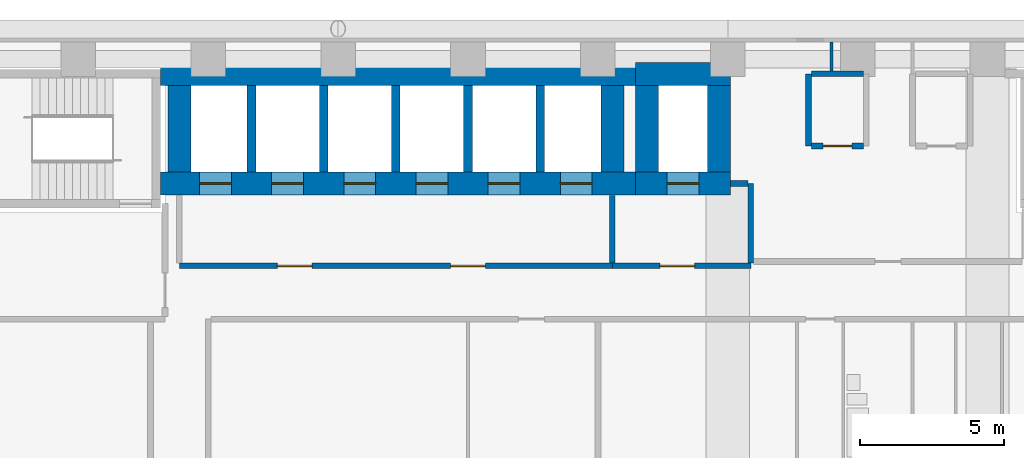
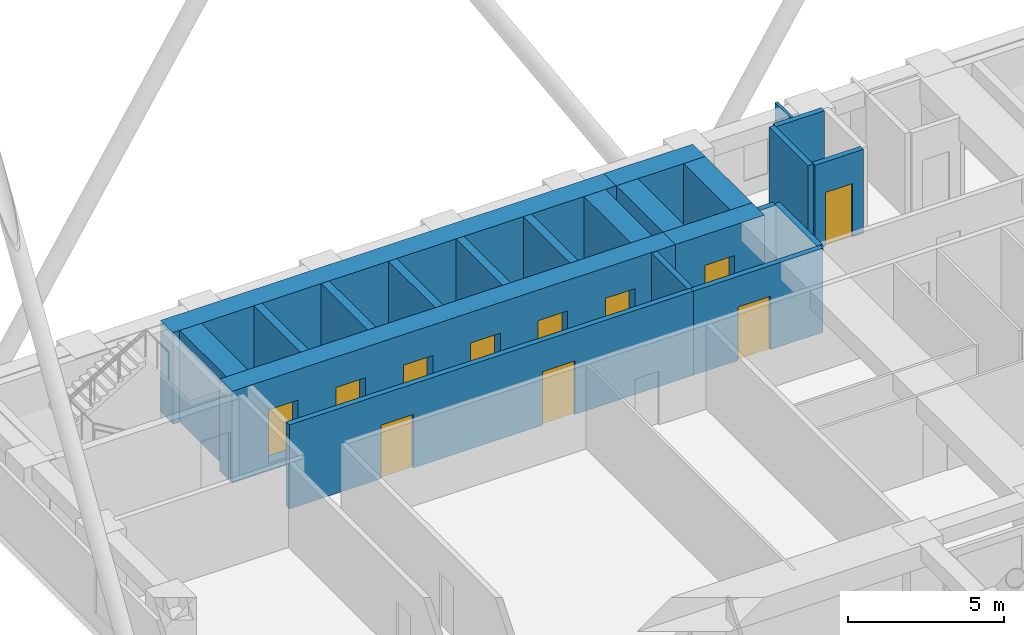
# One storey, part 11 of 20: 22 walls, 11 doors, 11 openings.
"""IFC4 building model written with IfcOpenShell, lengths in metres."""

from ifc_helpers import new_model, si_unit, direction, frame, frame_2d, origin, place, context, subcontext, project, spatial, rectangle, extrude, material, layer, layer_set, type_object, element, fill, save


model = new_model("IFC4")

# Units and contexts
model_context = context("Model", 3, precision=1e-05, world=origin(), true_north=direction((0.0, 1.0)))
body_context = subcontext(model_context, "Body", "Model", "MODEL_VIEW")
ifc_project = project(units=[si_unit("LENGTHUNIT", "METRE"), si_unit("AREAUNIT", "SQUARE_METRE"), si_unit("VOLUMEUNIT", "CUBIC_METRE"), si_unit("PLANEANGLEUNIT", "RADIAN"), si_unit("MASSUNIT", "GRAM", prefix="KILO")], contexts=[model_context])

# Site, building, storey
site_placement = place(None, origin())
site = spatial("IfcSite", under=ifc_project, at=site_placement, CompositionType="ELEMENT")
building_placement = place(site_placement, origin())
building = spatial("IfcBuilding", under=site, at=building_placement, Name="Firuza Court", CompositionType="ELEMENT")
storey_placement = place(building_placement, frame((0.0, 0.0, 29.0)))
storey = spatial("IfcBuildingStorey", under=building, at=storey_placement, Name="L05", CompositionType="ELEMENT", Elevation=29.0)

# Walls
ifc_material_1 = material(Name="Concrete C60/75", Category="concrete")
ifc_layer_1 = layer(ifc_material_1, 0.300048828125)
ifc_layer_set_1 = layer_set([ifc_layer_1], Name="Concrete C60/75")
wall_type_1 = type_object("IfcWallType", Name="Core wall 300 C60/75", PredefinedType="SHEAR", material=ifc_layer_set_1)
for number, where, z_axis, x_axis, name in (
    (1, (10.5, 54.60009765625, -0.300048828125), (0.0, 0.0, 1.0), (0.0, 1.0, 0.0), "Core wall lift shaft L05"),
    (2, (13.0, 54.60009765625, -0.300048828125), (0.0, 0.0, 1.0), (0.0, 1.0, 0.0), "Core wall lift shaft L05"),
    (3, (15.5, 54.60009765625, -0.300048828125), (0.0, 0.0, 1.0), (0.0, 1.0, 0.0), "Core wall lift shaft L05"),
    (4, (18.0, 54.60009765625, -0.300048828125), (0.0, 0.0, 1.0), (0.0, 1.0, 0.0), "Core wall lift shaft L05"),
    (5, (20.5, 54.60009765625, -0.300048828125), (0.0, 0.0, 1.0), (0.0, 1.0, 0.0), "Core wall lift shaft L05"),
):
    element("IfcWall", number, at=place(storey_placement, frame(where, z_axis=z_axis, x_axis=x_axis)), inside=storey, type_object=wall_type_1, Name=name, PredefinedType="SHEAR", context=body_context, shape_type="SweptSolid", body=[
        extrude(rectangle(XDim=3.0, YDim=0.300048828125, at=frame_2d((1.5, 0.0))), origin(), (0.0, 0.0, 1.0), 3.60009765625),
    ])

# Wall, openings, doors
ifc_layer_2 = layer(ifc_material_1, 0.800048828125)
ifc_layer_set_2 = layer_set([ifc_layer_2], Name="Concrete C60/75")
wall_type_2 = type_object("IfcWallType", Name="Core wall 800 C60/75", PredefinedType="SHEAR", material=ifc_layer_set_2)
wall_1_placement = place(storey_placement, frame((7.35009765625, 54.199951171875, -0.300048828125), z_axis=(0.0, 0.0, 1.0), x_axis=(1.0, 0.0, 0.0)))
wall_1 = element("IfcWall", 6, at=wall_1_placement, inside=storey, type_object=wall_type_2, Name="Core wall lift shaft L05", PredefinedType="SHEAR", context=body_context, shape_type="SweptSolid", body=[
    extrude(rectangle(XDim=16.449951171875, YDim=0.800048828125, at=frame_2d((8.22509765625, 0.0))), origin(), (0.0, 0.0, 1.0), 3.60009765625),
])
opening_1_placement = place(wall_1_placement, frame((1.35009765625, 0.0, 0.300048828125)))
opening_1 = element("IfcOpeningElement", 7, at=opening_1_placement, cuts=wall_1, Name="Opening LD-LB1-05", PredefinedType="OPENING", context=body_context, shape_type="SweptSolid", body=[
    extrude(rectangle(XDim=1.10009765625, YDim=2.10009765625, at=frame_2d((0.550048828125, 1.050048828125))), frame((0.0, 0.412109375, 0.0), z_axis=(0.0, -1.0, 0.0), x_axis=(1.0, 0.0, 0.0)), (0.0, 0.0, 1.0), 0.823974609375),
])
opening_2_placement = place(wall_1_placement, frame((3.85009765625, 0.0, 0.300048828125)))
opening_2 = element("IfcOpeningElement", 8, at=opening_2_placement, cuts=wall_1, Name="Opening LD-LB2-05", PredefinedType="OPENING", context=body_context, shape_type="SweptSolid", body=[
    extrude(rectangle(XDim=1.10009765625, YDim=2.10009765625, at=frame_2d((0.550048828125, 1.050048828125))), frame((0.0, 0.412109375, 0.0), z_axis=(0.0, -1.0, 0.0), x_axis=(1.0, 0.0, 0.0)), (0.0, 0.0, 1.0), 0.823974609375),
])
opening_3_placement = place(wall_1_placement, frame((6.35009765625, 0.0, 0.300048828125)))
opening_3 = element("IfcOpeningElement", 9, at=opening_3_placement, cuts=wall_1, Name="Opening LD-LB3-05", PredefinedType="OPENING", context=body_context, shape_type="SweptSolid", body=[
    extrude(rectangle(XDim=1.10009765625, YDim=2.10009765625, at=frame_2d((0.550048828125, 1.050048828125))), frame((0.0, 0.412109375, 0.0), z_axis=(0.0, -1.0, 0.0), x_axis=(1.0, 0.0, 0.0)), (0.0, 0.0, 1.0), 0.823974609375),
])
opening_4_placement = place(wall_1_placement, frame((8.85009765625, 0.0, 0.300048828125)))
opening_4 = element("IfcOpeningElement", 10, at=opening_4_placement, cuts=wall_1, Name="Opening LD-LB4-05", PredefinedType="OPENING", context=body_context, shape_type="SweptSolid", body=[
    extrude(rectangle(XDim=1.10009765625, YDim=2.10009765625, at=frame_2d((0.550048828125, 1.050048828125))), frame((0.0, 0.412109375, 0.0), z_axis=(0.0, -1.0, 0.0), x_axis=(1.0, 0.0, 0.0)), (0.0, 0.0, 1.0), 0.823974609375),
])
opening_5_placement = place(wall_1_placement, frame((11.35009765625, 0.0, 0.300048828125)))
opening_5 = element("IfcOpeningElement", 11, at=opening_5_placement, cuts=wall_1, Name="Opening LD-LB5-05", PredefinedType="OPENING", context=body_context, shape_type="SweptSolid", body=[
    extrude(rectangle(XDim=1.10009765625, YDim=2.10009765625, at=frame_2d((0.550048828125, 1.050048828125))), frame((0.0, 0.412109375, 0.0), z_axis=(0.0, -1.0, 0.0), x_axis=(1.0, 0.0, 0.0)), (0.0, 0.0, 1.0), 0.823974609375),
])
opening_6_placement = place(wall_1_placement, frame((13.85009765625, 0.0, 0.300048828125)))
opening_6 = element("IfcOpeningElement", 12, at=opening_6_placement, cuts=wall_1, Name="Opening LD-LB6-05", PredefinedType="OPENING", context=body_context, shape_type="SweptSolid", body=[
    extrude(rectangle(XDim=1.10009765625, YDim=2.10009765625, at=frame_2d((0.550048828125, 1.050048828125))), frame((0.0, 0.412109375, 0.0), z_axis=(0.0, -1.0, 0.0), x_axis=(1.0, 0.0, 0.0)), (0.0, 0.0, 1.0), 0.823974609375),
])
ifc_material_2 = material(Name="Stainless steel 1.4301 door leaf", Category="steel")
door_type_1 = type_object("IfcDoorType", Name="Lift landing door 1100", OperationType="SLIDING_TO_LEFT", PredefinedType="DOOR", material=ifc_material_2)
door_1_placement = place(opening_1_placement, origin())
door_1 = element("IfcDoor", 13, at=door_1_placement, inside=storey, type_object=door_type_1, Name="Landing door LB1", OperationType="SLIDING_TO_LEFT", OverallHeight=2.10009765625, OverallWidth=1.10009765625, PredefinedType="DOOR", context=body_context, shape_type="SweptSolid", body=[
    extrude(rectangle(XDim=1.10009765625, YDim=2.10009765625, at=frame_2d((0.550048828125, 1.050048828125))), frame((0.0, 0.02490234375, 0.0), z_axis=(0.0, -1.0, 0.0), x_axis=(1.0, 0.0, 0.0)), (0.0, 0.0, 1.0), 0.050048828125),
])
fill(opening_1, door_1)
door_2_placement = place(opening_2_placement, origin())
door_2 = element("IfcDoor", 14, at=door_2_placement, inside=storey, type_object=door_type_1, Name="Landing door LB2", OperationType="SLIDING_TO_LEFT", OverallHeight=2.10009765625, OverallWidth=1.10009765625, PredefinedType="DOOR", context=body_context, shape_type="SweptSolid", body=[
    extrude(rectangle(XDim=1.10009765625, YDim=2.10009765625, at=frame_2d((0.550048828125, 1.050048828125))), frame((0.0, 0.02490234375, 0.0), z_axis=(0.0, -1.0, 0.0), x_axis=(1.0, 0.0, 0.0)), (0.0, 0.0, 1.0), 0.050048828125),
])
fill(opening_2, door_2)
door_3_placement = place(opening_3_placement, origin())
door_3 = element("IfcDoor", 15, at=door_3_placement, inside=storey, type_object=door_type_1, Name="Landing door LB3", OperationType="SLIDING_TO_LEFT", OverallHeight=2.10009765625, OverallWidth=1.10009765625, PredefinedType="DOOR", context=body_context, shape_type="SweptSolid", body=[
    extrude(rectangle(XDim=1.10009765625, YDim=2.10009765625, at=frame_2d((0.550048828125, 1.050048828125))), frame((0.0, 0.02490234375, 0.0), z_axis=(0.0, -1.0, 0.0), x_axis=(1.0, 0.0, 0.0)), (0.0, 0.0, 1.0), 0.050048828125),
])
fill(opening_3, door_3)
door_4_placement = place(opening_4_placement, origin())
door_4 = element("IfcDoor", 16, at=door_4_placement, inside=storey, type_object=door_type_1, Name="Landing door LB4", OperationType="SLIDING_TO_LEFT", OverallHeight=2.10009765625, OverallWidth=1.10009765625, PredefinedType="DOOR", context=body_context, shape_type="SweptSolid", body=[
    extrude(rectangle(XDim=1.10009765625, YDim=2.10009765625, at=frame_2d((0.550048828125, 1.050048828125))), frame((0.0, 0.02490234375, 0.0), z_axis=(0.0, -1.0, 0.0), x_axis=(1.0, 0.0, 0.0)), (0.0, 0.0, 1.0), 0.050048828125),
])
fill(opening_4, door_4)
door_5_placement = place(opening_5_placement, origin())
door_5 = element("IfcDoor", 17, at=door_5_placement, inside=storey, type_object=door_type_1, Name="Landing door LB5", OperationType="SLIDING_TO_LEFT", OverallHeight=2.10009765625, OverallWidth=1.10009765625, PredefinedType="DOOR", context=body_context, shape_type="SweptSolid", body=[
    extrude(rectangle(XDim=1.10009765625, YDim=2.10009765625, at=frame_2d((0.550048828125, 1.050048828125))), frame((0.0, 0.02490234375, 0.0), z_axis=(0.0, -1.0, 0.0), x_axis=(1.0, 0.0, 0.0)), (0.0, 0.0, 1.0), 0.050048828125),
])
fill(opening_5, door_5)
door_6_placement = place(opening_6_placement, origin())
door_6 = element("IfcDoor", 18, at=door_6_placement, inside=storey, type_object=door_type_1, Name="Landing door LB6", OperationType="SLIDING_TO_LEFT", OverallHeight=2.10009765625, OverallWidth=1.10009765625, PredefinedType="DOOR", context=body_context, shape_type="SweptSolid", body=[
    extrude(rectangle(XDim=1.10009765625, YDim=2.10009765625, at=frame_2d((0.550048828125, 1.050048828125))), frame((0.0, 0.02490234375, 0.0), z_axis=(0.0, -1.0, 0.0), x_axis=(1.0, 0.0, 0.0)), (0.0, 0.0, 1.0), 0.050048828125),
])
fill(opening_6, door_6)

# Walls
wall_2_placement = place(storey_placement, frame((7.35009765625, 58.0, -0.300048828125), z_axis=(0.0, 0.0, 1.0), x_axis=(1.0, 0.0, 0.0)))
element("IfcWall", 19, at=wall_2_placement, inside=storey, type_object=wall_type_2, Name="Core wall lift shaft L05", PredefinedType="SHEAR", context=body_context, shape_type="SweptSolid", body=[
    extrude(rectangle(XDim=16.449951171875, YDim=0.800048828125, at=frame_2d((8.22509765625, 0.0))), origin(), (0.0, 0.0, 1.0), 3.60009765625),
])
for number, where, z_axis, x_axis, name in (
    (20, (8.0, 54.60009765625, -0.300048828125), (0.0, 0.0, 1.0), (0.0, 1.0, 0.0), "Core wall lift shaft L05"),
    (21, (23.0, 54.60009765625, -0.300048828125), (0.0, 0.0, 1.0), (0.0, 1.0, 0.0), "Core wall lift shaft L05"),
):
    element("IfcWall", number, at=place(storey_placement, frame(where, z_axis=z_axis, x_axis=x_axis)), inside=storey, type_object=wall_type_2, Name=name, PredefinedType="SHEAR", context=body_context, shape_type="SweptSolid", body=[
        extrude(rectangle(XDim=3.0, YDim=0.800048828125, at=frame_2d((1.5, 0.0))), origin(), (0.0, 0.0, 1.0), 3.60009765625),
    ])

# Wall, opening, door
wall_3_placement = place(storey_placement, frame((23.800048828125, 54.199951171875, -0.300048828125), z_axis=(0.0, 0.0, 1.0), x_axis=(1.0, 0.0, 0.0)))
wall_3 = element("IfcWall", 22, at=wall_3_placement, inside=storey, type_object=wall_type_2, Name="Core wall lift shaft L05", PredefinedType="SHEAR", context=body_context, shape_type="SweptSolid", body=[
    extrude(rectangle(XDim=3.300048828125, YDim=0.800048828125, at=frame_2d((1.64990234375, 0.0))), origin(), (0.0, 0.0, 1.0), 3.60009765625),
])
opening_7_placement = place(wall_3_placement, frame((1.10009765625, 0.0, 0.300048828125)))
opening_7 = element("IfcOpeningElement", 23, at=opening_7_placement, cuts=wall_3, Name="Opening LD-FL3-05", PredefinedType="OPENING", context=body_context, shape_type="SweptSolid", body=[
    extrude(rectangle(XDim=1.10009765625, YDim=2.10009765625, at=frame_2d((0.550048828125, 1.050048828125))), frame((0.0, 0.412109375, 0.0), z_axis=(0.0, -1.0, 0.0), x_axis=(1.0, 0.0, 0.0)), (0.0, 0.0, 1.0), 0.823974609375),
])
door_7_placement = place(opening_7_placement, origin())
door_7 = element("IfcDoor", 24, at=door_7_placement, inside=storey, type_object=door_type_1, Name="Landing door FL3", OperationType="SLIDING_TO_LEFT", OverallHeight=2.10009765625, OverallWidth=1.10009765625, PredefinedType="DOOR", context=body_context, shape_type="SweptSolid", body=[
    extrude(rectangle(XDim=1.10009765625, YDim=2.10009765625, at=frame_2d((0.550048828125, 1.050048828125))), frame((0.0, 0.02490234375, 0.0), z_axis=(0.0, -1.0, 0.0), x_axis=(1.0, 0.0, 0.0)), (0.0, 0.0, 1.0), 0.050048828125),
])
fill(opening_7, door_7)

# Walls
wall_4_placement = place(storey_placement, frame((23.800048828125, 58.0, -0.300048828125), z_axis=(0.0, 0.0, 1.0), x_axis=(1.0, 0.0, 0.0)))
element("IfcWall", 25, at=wall_4_placement, inside=storey, type_object=wall_type_2, Name="Core wall lift shaft L05", PredefinedType="SHEAR", context=body_context, shape_type="SweptSolid", body=[
    extrude(rectangle(XDim=3.300048828125, YDim=0.800048828125, at=frame_2d((1.64990234375, 0.0))), origin(), (0.0, 0.0, 1.0), 3.60009765625),
])
for number, where, z_axis, x_axis, name in (
    (26, (24.199951171875, 54.60009765625, -0.300048828125), (0.0, 0.0, 1.0), (0.0, 1.0, 0.0), "Core wall lift shaft L05"),
    (27, (26.699951171875, 54.60009765625, -0.300048828125), (0.0, 0.0, 1.0), (0.0, 1.0, 0.0), "Core wall lift shaft L05"),
):
    element("IfcWall", number, at=place(storey_placement, frame(where, z_axis=z_axis, x_axis=x_axis)), inside=storey, type_object=wall_type_2, Name=name, PredefinedType="SHEAR", context=body_context, shape_type="SweptSolid", body=[
        extrude(rectangle(XDim=3.0, YDim=0.800048828125, at=frame_2d((1.5, 0.0))), origin(), (0.0, 0.0, 1.0), 3.60009765625),
    ])
ifc_material_3 = material(Name="Timber stud partition, plasterboard both sides", Category="wood")
ifc_layer_3 = layer(ifc_material_3, 0.10009765625)
ifc_layer_set_3 = layer_set([ifc_layer_3], Name="Timber stud partition, plasterboard both sides")
wall_type_3 = type_object("IfcWallType", Name="Partition wall 100", PredefinedType="PARTITIONING", material=ifc_layer_set_3)
wall_5_placement = place(storey_placement, frame((30.60009765625, 58.10009765625, 0.0), z_axis=(0.0, 0.0, 1.0), x_axis=(0.0, 1.0, 0.0)))
element("IfcWall", 28, at=wall_5_placement, inside=storey, type_object=wall_type_3, Name="Partition wall 100 L05", PredefinedType="PARTITIONING", context=body_context, shape_type="SweptSolid", body=[
    extrude(rectangle(XDim=1.0, YDim=0.10009765625, at=frame_2d((0.5, 0.0))), origin(), (0.0, 0.0, 1.0), 3.300048828125),
])
ifc_material_4 = material(Name="Blockwork, fire-rated", Category="masonry")
ifc_layer_4 = layer(ifc_material_4, 0.199951171875)
ifc_layer_set_4 = layer_set([ifc_layer_4], Name="Blockwork, fire-rated")
wall_type_4 = type_object("IfcWallType", Name="Plant room wall 200", PredefinedType="PARTITIONING", material=ifc_layer_set_4)
wall_6_placement = place(storey_placement, frame((29.800048828125, 55.5, 0.0), z_axis=(0.0, 0.0, 1.0), x_axis=(0.0, 1.0, 0.0)))
element("IfcWall", 29, at=wall_6_placement, inside=storey, type_object=wall_type_4, Name="Plant room wall 200 L05", PredefinedType="PARTITIONING", context=body_context, shape_type="SweptSolid", body=[
    extrude(rectangle(XDim=2.5, YDim=0.199951171875, at=frame_2d((1.25, 0.0))), origin(), (0.0, 0.0, 1.0), 3.300048828125),
])

# Wall, opening, door
wall_7_placement = place(storey_placement, frame((29.89990234375, 55.5, 0.0), z_axis=(0.0, 0.0, 1.0), x_axis=(1.0, 0.0, 0.0)))
wall_7 = element("IfcWall", 30, at=wall_7_placement, inside=storey, type_object=wall_type_4, Name="Plant room wall 200 L05", PredefinedType="PARTITIONING", context=body_context, shape_type="SweptSolid", body=[
    extrude(rectangle(XDim=1.800048828125, YDim=0.199951171875, at=frame_2d((0.89990234375, 0.0))), origin(), (0.0, 0.0, 1.0), 3.300048828125),
])
opening_8_placement = place(wall_7_placement, frame((0.39990234375, 0.0, 0.0)))
opening_8 = element("IfcOpeningElement", 31, at=opening_8_placement, cuts=wall_7, Name="Opening D05075", PredefinedType="OPENING", context=body_context, shape_type="SweptSolid", body=[
    extrude(rectangle(XDim=1.0, YDim=2.10009765625, at=frame_2d((0.5, 1.050048828125))), frame((0.0, 0.11181640625, 0.0), z_axis=(0.0, -1.0, 0.0), x_axis=(1.0, 0.0, 0.0)), (0.0, 0.0, 1.0), 0.223876953125),
])
ifc_material_5 = material(Name="Timber door leaf in hardwood frame", Category="wood")
door_type_2 = type_object("IfcDoorType", Name="Riser door 1000", OperationType="SINGLE_SWING_LEFT", PredefinedType="DOOR", material=ifc_material_5)
door_8_placement = place(opening_8_placement, origin())
door_8 = element("IfcDoor", 32, at=door_8_placement, inside=storey, type_object=door_type_2, Name="Electrical riser door", OperationType="SINGLE_SWING_LEFT", OverallHeight=2.10009765625, OverallWidth=1.0, PredefinedType="DOOR", context=body_context, shape_type="SweptSolid", body=[
    extrude(rectangle(XDim=1.0, YDim=2.10009765625, at=frame_2d((0.5, 1.050048828125))), frame((0.0, 0.02490234375, 0.0), z_axis=(0.0, -1.0, 0.0), x_axis=(1.0, 0.0, 0.0)), (0.0, 0.0, 1.0), 0.050048828125),
])
fill(opening_8, door_8)

# Wall
wall_8_placement = place(storey_placement, frame((29.89990234375, 58.0, 0.0), z_axis=(0.0, 0.0, 1.0), x_axis=(1.0, 0.0, 0.0)))
element("IfcWall", 33, at=wall_8_placement, inside=storey, type_object=wall_type_4, Name="Plant room wall 200 L05", PredefinedType="PARTITIONING", context=body_context, shape_type="SweptSolid", body=[
    extrude(rectangle(XDim=1.800048828125, YDim=0.199951171875, at=frame_2d((0.89990234375, 0.0))), origin(), (0.0, 0.0, 1.0), 3.300048828125),
])

# Wall, openings, doors
ifc_layer_5 = layer(ifc_material_4, 0.199951171875)
ifc_layer_set_5 = layer_set([ifc_layer_5], Name="Blockwork, fire-rated")
wall_type_5 = type_object("IfcWallType", Name="Shaft wall 200", PredefinedType="PARTITIONING", material=ifc_layer_set_5)
wall_9_placement = place(storey_placement, frame((8.0, 51.35009765625, 0.0), z_axis=(0.0, 0.0, 1.0), x_axis=(1.0, 0.0, 0.0)))
wall_9 = element("IfcWall", 34, at=wall_9_placement, inside=storey, type_object=wall_type_5, Name="Shaft wall 200 L05", PredefinedType="PARTITIONING", context=body_context, shape_type="SweptSolid", body=[
    extrude(rectangle(XDim=15.0, YDim=0.199951171875, at=frame_2d((7.5, 0.0))), origin(), (0.0, 0.0, 1.0), 3.300048828125),
])
opening_9_placement = place(wall_9_placement, frame((3.39990234375, 0.0, 0.0)))
opening_9 = element("IfcOpeningElement", 35, at=opening_9_placement, cuts=wall_9, Name="Opening D05004", PredefinedType="OPENING", context=body_context, shape_type="SweptSolid", body=[
    extrude(rectangle(XDim=1.199951171875, YDim=2.10009765625, at=frame_2d((0.60009765625, 1.050048828125))), frame((0.0, 0.11181640625, 0.0), z_axis=(0.0, -1.0, 0.0), x_axis=(1.0, 0.0, 0.0)), (0.0, 0.0, 1.0), 0.223876953125),
])
opening_10_placement = place(wall_9_placement, frame((9.39990234375, 0.0, 0.0)))
opening_10 = element("IfcOpeningElement", 36, at=opening_10_placement, cuts=wall_9, Name="Opening D05005", PredefinedType="OPENING", context=body_context, shape_type="SweptSolid", body=[
    extrude(rectangle(XDim=1.199951171875, YDim=2.10009765625, at=frame_2d((0.60009765625, 1.050048828125))), frame((0.0, 0.11181640625, 0.0), z_axis=(0.0, -1.0, 0.0), x_axis=(1.0, 0.0, 0.0)), (0.0, 0.0, 1.0), 0.223876953125),
])
ifc_material_6 = material(Name="Timber door leaf in hardwood frame", Category="wood")
door_type_3 = type_object("IfcDoorType", Name="Lobby door 1200", OperationType="SINGLE_SWING_LEFT", PredefinedType="DOOR", material=ifc_material_6)
door_9_placement = place(opening_9_placement, origin())
door_9 = element("IfcDoor", 37, at=door_9_placement, inside=storey, type_object=door_type_3, Name="Lobby door", OperationType="SINGLE_SWING_LEFT", OverallHeight=2.10009765625, OverallWidth=1.199951171875, PredefinedType="DOOR", context=body_context, shape_type="SweptSolid", body=[
    extrude(rectangle(XDim=1.199951171875, YDim=2.10009765625, at=frame_2d((0.60009765625, 1.050048828125))), frame((0.0, 0.02490234375, 0.0), z_axis=(0.0, -1.0, 0.0), x_axis=(1.0, 0.0, 0.0)), (0.0, 0.0, 1.0), 0.050048828125),
])
fill(opening_9, door_9)
door_10_placement = place(opening_10_placement, origin())
door_10 = element("IfcDoor", 38, at=door_10_placement, inside=storey, type_object=door_type_3, Name="Lobby door", OperationType="SINGLE_SWING_RIGHT", OverallHeight=2.10009765625, OverallWidth=1.199951171875, PredefinedType="DOOR", context=body_context, shape_type="SweptSolid", body=[
    extrude(rectangle(XDim=1.199951171875, YDim=2.10009765625, at=frame_2d((0.60009765625, 1.050048828125))), frame((0.0, 0.02490234375, 0.0), z_axis=(0.0, -1.0, 0.0), x_axis=(1.0, 0.0, 0.0)), (0.0, 0.0, 1.0), 0.050048828125),
])
fill(opening_10, door_10)

# Wall
wall_10_placement = place(storey_placement, frame((23.0, 51.449951171875, 0.0), z_axis=(0.0, 0.0, 1.0), x_axis=(0.0, 1.0, 0.0)))
element("IfcWall", 39, at=wall_10_placement, inside=storey, type_object=wall_type_5, Name="Shaft wall 200 L05", PredefinedType="PARTITIONING", context=body_context, shape_type="SweptSolid", body=[
    extrude(rectangle(XDim=2.330078125, YDim=0.199951171875, at=frame_2d((1.1650390625, 0.0))), origin(), (0.0, 0.0, 1.0), 3.300048828125),
])

# Wall, opening, door
wall_11_placement = place(storey_placement, frame((23.0, 51.35009765625, 0.0), z_axis=(0.0, 0.0, 1.0), x_axis=(1.0, 0.0, 0.0)))
wall_11 = element("IfcWall", 40, at=wall_11_placement, inside=storey, type_object=wall_type_5, Name="Shaft wall 200 L05", PredefinedType="PARTITIONING", context=body_context, shape_type="SweptSolid", body=[
    extrude(rectangle(XDim=4.800048828125, YDim=0.199951171875, at=frame_2d((2.39990234375, 0.0))), origin(), (0.0, 0.0, 1.0), 3.300048828125),
])
opening_11_placement = place(wall_11_placement, frame((1.64990234375, 0.0, 0.0)))
opening_11 = element("IfcOpeningElement", 41, at=opening_11_placement, cuts=wall_11, Name="Opening D05003", PredefinedType="OPENING", context=body_context, shape_type="SweptSolid", body=[
    extrude(rectangle(XDim=1.199951171875, YDim=2.10009765625, at=frame_2d((0.60009765625, 1.050048828125))), frame((0.0, 0.11181640625, 0.0), z_axis=(0.0, -1.0, 0.0), x_axis=(1.0, 0.0, 0.0)), (0.0, 0.0, 1.0), 0.223876953125),
])
door_11_placement = place(opening_11_placement, origin())
door_11 = element("IfcDoor", 42, at=door_11_placement, inside=storey, type_object=door_type_3, Name="Fire-fighting lobby door", OperationType="SINGLE_SWING_LEFT", OverallHeight=2.10009765625, OverallWidth=1.199951171875, PredefinedType="DOOR", context=body_context, shape_type="SweptSolid", body=[
    extrude(rectangle(XDim=1.199951171875, YDim=2.10009765625, at=frame_2d((0.60009765625, 1.050048828125))), frame((0.0, 0.02490234375, 0.0), z_axis=(0.0, -1.0, 0.0), x_axis=(1.0, 0.0, 0.0)), (0.0, 0.0, 1.0), 0.050048828125),
])
fill(opening_11, door_11)

# Walls
wall_12_placement = place(storey_placement, frame((27.800048828125, 51.449951171875, 0.0), z_axis=(0.0, 0.0, 1.0), x_axis=(0.0, 1.0, 0.0)))
element("IfcWall", 43, at=wall_12_placement, inside=storey, type_object=wall_type_5, Name="Shaft wall 200 L05", PredefinedType="PARTITIONING", context=body_context, shape_type="SweptSolid", body=[
    extrude(rectangle(XDim=2.75, YDim=0.199951171875, at=frame_2d((1.375, 0.0))), origin(), (0.0, 0.0, 1.0), 3.300048828125),
])
wall_13_placement = place(storey_placement, frame((27.10009765625, 54.199951171875, 0.0), z_axis=(0.0, 0.0, 1.0), x_axis=(1.0, 0.0, 0.0)))
element("IfcWall", 44, at=wall_13_placement, inside=storey, type_object=wall_type_5, Name="Shaft wall 200 L05", PredefinedType="PARTITIONING", context=body_context, shape_type="SweptSolid", body=[
    extrude(rectangle(XDim=0.599853515625, YDim=0.199951171875, at=frame_2d((0.2998046875, 0.0))), origin(), (0.0, 0.0, 1.0), 3.300048828125),
])

save(model, "model.ifc")
